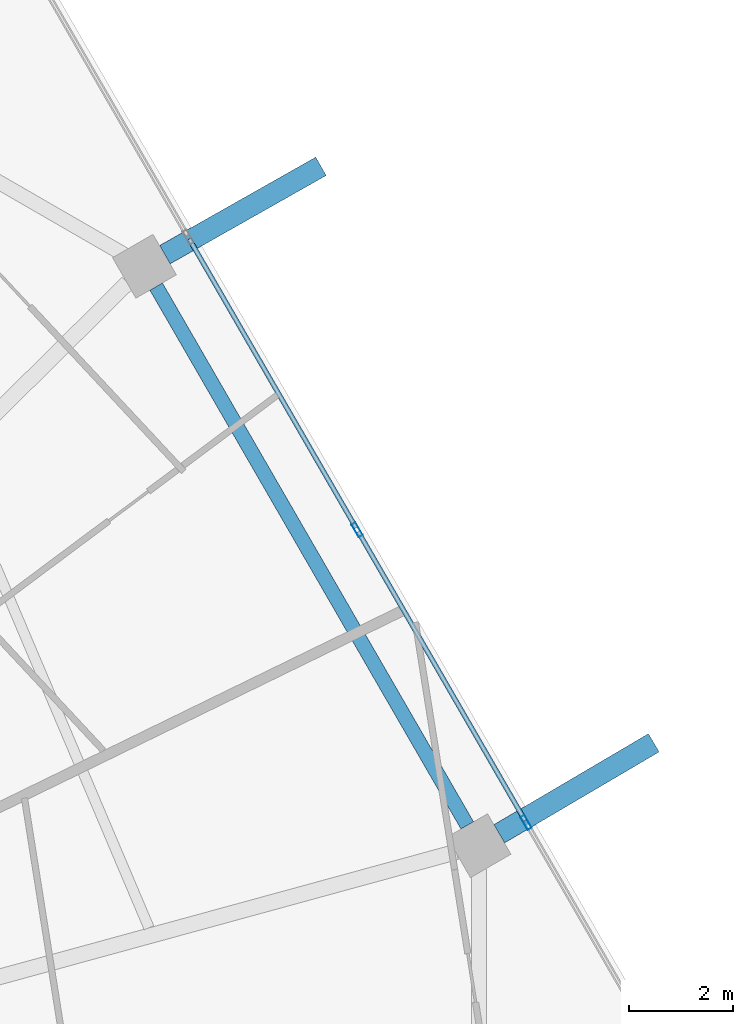
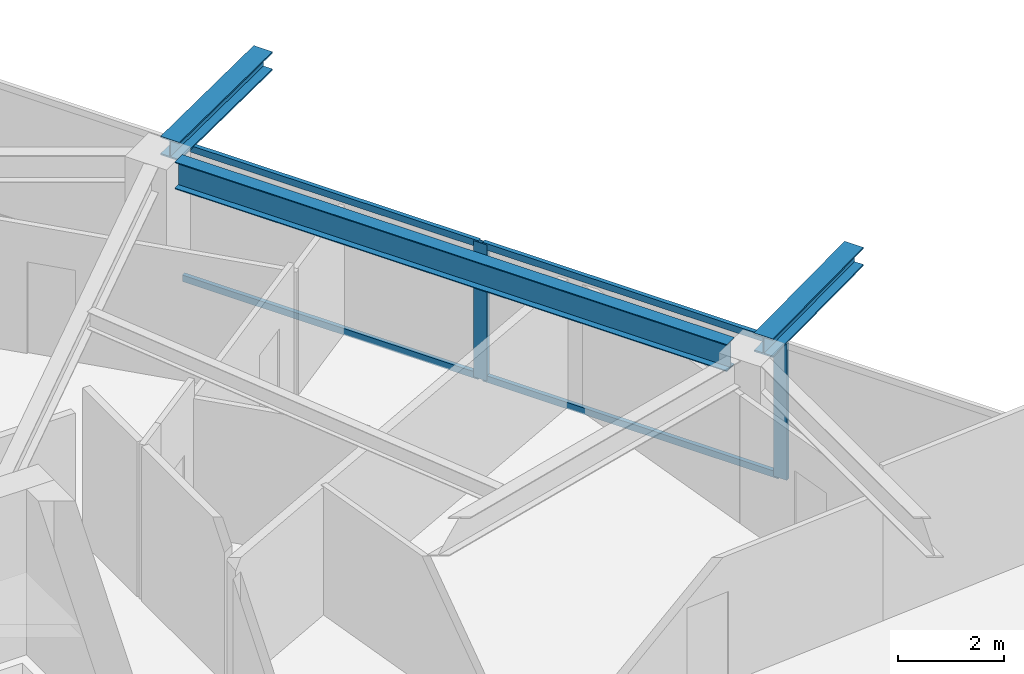
# One storey, part 15 of 25: 6 members, 3 beams, 1 element without a shape of its own.
"""IFC4 building model written with IfcOpenShell, lengths in metres."""

from ifc_helpers import new_model, si_unit, direction, frame, origin, origin_2d, place, context, subcontext, project, spatial, hollow_rectangle, i_section, extrude, material, material_profile, profile_set, type_object, element, aggregate, save


model = new_model("IFC4")

# Units and contexts
model_context = context("Model", 3, precision=1e-05, world=origin(), true_north=direction((0.0, 1.0)))
body_context = subcontext(model_context, "Body", "Model", "MODEL_VIEW")
ifc_project = project(units=[si_unit("LENGTHUNIT", "METRE"), si_unit("AREAUNIT", "SQUARE_METRE"), si_unit("VOLUMEUNIT", "CUBIC_METRE"), si_unit("PLANEANGLEUNIT", "RADIAN"), si_unit("MASSUNIT", "GRAM", prefix="KILO")], contexts=[model_context])

# Site, building, storey
site_placement = place(None, origin())
site = spatial("IfcSite", under=ifc_project, at=site_placement, CompositionType="ELEMENT")
building_placement = place(site_placement, origin())
building = spatial("IfcBuilding", under=site, at=building_placement, Name="Zuhravey Tower", CompositionType="ELEMENT")
storey_placement = place(building_placement, frame((0.0, 0.0, 235.0)))
storey = spatial("IfcBuildingStorey", under=building, at=storey_placement, Name="L59", CompositionType="ELEMENT", Elevation=235.0)

# Curtain wall, members
ifc_material_1 = material(Name="Thermally broken anodised aluminium", Category="aluminium")
curtain_wall_type = type_object("IfcCurtainWallType", Name="Zone 3-4 High-Rise Curtain Wall CW4", PredefinedType="NOTDEFINED", material=ifc_material_1)
curtain_wall_placement = place(storey_placement, origin())
curtain_wall = element("IfcCurtainWall", 1, at=curtain_wall_placement, inside=storey, type_object=curtain_wall_type, Name="L59 CW4 CW-L59-F1-1", PredefinedType="NOTDEFINED")
ifc_material_2 = material(Name="Anodised aluminium", Category="aluminium")
ifc_material_profile_1 = material_profile(ifc_material_2, hollow_rectangle(XDim=0.090087890625, YDim=0.284912109375, WallThickness=0.0048828125, at=origin_2d()), Name="ALU-RHS-90x285x5")
ifc_profile_set_1 = profile_set([ifc_material_profile_1], Name="Anodised aluminium")
member_type_1 = type_object("IfcMemberType", Name="Curtain-Wall Mullion 90x180", PredefinedType="MULLION", material=ifc_profile_set_1)
member_1_placement = place(storey_placement, frame((58.138671875, 44.78173828125, 0.0), z_axis=(0.0, 0.0, 1.0), x_axis=(0.866024851021, 0.500000957414, 0.0)))
member_1 = element("IfcMember", 2, at=member_1_placement, type_object=member_type_1, Name="CW4 mullion 3", PredefinedType="MULLION", context=body_context, shape_type="SweptSolid", body=[
    extrude(hollow_rectangle(XDim=0.090087890625, YDim=0.284912109375, WallThickness=0.0048828125, at=origin_2d()), origin(), (0.0, 0.0, 1.0), 3.1220703125),
])
member_2_placement = place(storey_placement, frame((61.391845703125, 39.147216796875, 0.0), z_axis=(0.0, 0.0, 1.0), x_axis=(0.866024851021, 0.500000957414, 0.0)))
member_2 = element("IfcMember", 3, at=member_2_placement, type_object=member_type_1, Name="CW4 mullion 4", PredefinedType="MULLION", context=body_context, shape_type="SweptSolid", body=[
    extrude(hollow_rectangle(XDim=0.090087890625, YDim=0.284912109375, WallThickness=0.0048828125, at=origin_2d()), origin(), (0.0, 0.0, 1.0), 3.1220703125),
])
ifc_material_profile_2 = material_profile(ifc_material_2, hollow_rectangle(XDim=0.090087890625, YDim=0.14990234375, WallThickness=0.0048828125, at=origin_2d()), Name="ALU-RHS-90x150x5")
ifc_profile_set_2 = profile_set([ifc_material_profile_2], Name="Anodised aluminium")
member_type_2 = type_object("IfcMemberType", Name="Curtain-Wall Transom 90x150", PredefinedType="USERDEFINED", material=ifc_profile_set_2)
member_3_placement = place(storey_placement, frame((54.907958984375, 50.37744140625, 0.044921875), z_axis=(0.500014493347, -0.866017035885, 0.0), x_axis=(0.866017035885, 0.500014493347, 0.0)))
member_3 = element("IfcMember", 4, at=member_3_placement, type_object=member_type_2, Name="CW4 transom 2.1", ObjectType="TRANSOM", PredefinedType="USERDEFINED", context=body_context, shape_type="SweptSolid", body=[
    extrude(hollow_rectangle(XDim=0.090087890625, YDim=0.14990234375, WallThickness=0.0048828125, at=origin_2d()), origin(), (0.0, 0.0, 1.0), 6.416259765625),
])
member_4_placement = place(storey_placement, frame((54.907958984375, 50.37744140625, 3.076904296875), z_axis=(0.500014493347, -0.866017035885, 0.0), x_axis=(0.866017035885, 0.500014493347, 0.0)))
member_4 = element("IfcMember", 5, at=member_4_placement, type_object=member_type_2, Name="CW4 transom 2.2", ObjectType="TRANSOM", PredefinedType="USERDEFINED", context=body_context, shape_type="SweptSolid", body=[
    extrude(hollow_rectangle(XDim=0.090087890625, YDim=0.14990234375, WallThickness=0.0048828125, at=origin_2d()), origin(), (0.0, 0.0, 1.0), 6.416259765625),
])
member_5_placement = place(storey_placement, frame((58.1611328125, 44.742919921875, 0.044921875), z_axis=(0.499998017366, -0.866026548456, 0.0), x_axis=(0.866026548456, 0.499998017366, 0.0)))
member_5 = element("IfcMember", 6, at=member_5_placement, type_object=member_type_2, Name="CW4 transom 3.1", ObjectType="TRANSOM", PredefinedType="USERDEFINED", context=body_context, shape_type="SweptSolid", body=[
    extrude(hollow_rectangle(XDim=0.090087890625, YDim=0.14990234375, WallThickness=0.0048828125, at=origin_2d()), origin(), (0.0, 0.0, 1.0), 6.41650390625),
])
member_6_placement = place(storey_placement, frame((58.1611328125, 44.742919921875, 3.076904296875), z_axis=(0.499998017366, -0.866026548456, 0.0), x_axis=(0.866026548456, 0.499998017366, 0.0)))
member_6 = element("IfcMember", 7, at=member_6_placement, type_object=member_type_2, Name="CW4 transom 3.2", ObjectType="TRANSOM", PredefinedType="USERDEFINED", context=body_context, shape_type="SweptSolid", body=[
    extrude(hollow_rectangle(XDim=0.090087890625, YDim=0.14990234375, WallThickness=0.0048828125, at=origin_2d()), origin(), (0.0, 0.0, 1.0), 6.41650390625),
])
aggregate(curtain_wall, [member_1, member_2, member_3, member_4, member_5, member_6])

# Beams
ifc_material_3 = material(Name="Steel SM460", Category="steel")
ifc_material_profile_3 = material_profile(ifc_material_3, i_section(OverallWidth=0.406982421875, OverallDepth=0.427978515625, WebThickness=0.02001953125, FlangeThickness=0.034912109375, at=origin_2d()), Name="H-428x407x20x35")
ifc_profile_set_3 = profile_set([ifc_material_profile_3], Name="Steel SM460")
beam_type_1 = type_object("IfcBeamType", Name="Exoskeleton Node Tie Beam H428x407", PredefinedType="BEAM", material=ifc_profile_set_3)
beam_1_placement = place(storey_placement, frame((60.875732421875, 38.92919921875, 3.3359375), z_axis=(0.861775959004, 0.507289066, 0.0), x_axis=(-0.507289066, 0.861775959004, 0.0)))
element("IfcBeam", 8, at=beam_1_placement, inside=storey, type_object=beam_type_1, Name="L59 Exoskeleton Node Tie NT1-01", PredefinedType="BEAM", context=body_context, shape_type="SweptSolid", body=[
    extrude(i_section(OverallWidth=0.406982421875, OverallDepth=0.427978515625, WebThickness=0.02001953125, FlangeThickness=0.034912109375, at=origin_2d()), origin(), (0.0, 0.0, 1.0), 3.451171875),
])
beam_2_placement = place(storey_placement, frame((54.438720703125, 50.078369140625, 3.3359375), z_axis=(0.870221375933, 0.492660894399, 0.0), x_axis=(-0.492660894399, 0.870221375933, 0.0)))
element("IfcBeam", 9, at=beam_2_placement, inside=storey, type_object=beam_type_1, Name="L59 Exoskeleton Node Tie NT1-02", PredefinedType="BEAM", context=body_context, shape_type="SweptSolid", body=[
    extrude(i_section(OverallWidth=0.406982421875, OverallDepth=0.427978515625, WebThickness=0.02001953125, FlangeThickness=0.034912109375, at=origin_2d()), origin(), (0.0, 0.0, 1.0), 3.450927734375),
])
ifc_material_4 = material(Name="Steel SM355", Category="steel")
ifc_material_profile_4 = material_profile(ifc_material_4, i_section(OverallWidth=0.280029296875, OverallDepth=0.6201171875, WebThickness=0.011962890625, FlangeThickness=0.02001953125, at=origin_2d()), Name="H-620x280x12x20")
ifc_profile_set_4 = profile_set([ifc_material_profile_4], Name="Steel SM355")
beam_type_2 = type_object("IfcBeamType", Name="Perimeter Ring Beam H620x280", PredefinedType="BEAM", material=ifc_profile_set_4)
beam_3_placement = place(storey_placement, frame((60.258056640625, 39.09130859375, 3.239990234375), z_axis=(-0.500017744717, 0.866015158625, 0.0), x_axis=(-0.866015158625, -0.500017744717, 0.0)))
element("IfcBeam", 10, at=beam_3_placement, inside=storey, type_object=beam_type_2, Name="L59 PB3 BM-L59-PB-01", PredefinedType="BEAM", context=body_context, shape_type="SweptSolid", body=[
    extrude(i_section(OverallWidth=0.280029296875, OverallDepth=0.6201171875, WebThickness=0.011962890625, FlangeThickness=0.02001953125, at=origin_2d()), origin(), (0.0, 0.0, 1.0), 11.9755859375),
])

save(model, "model.ifc")
